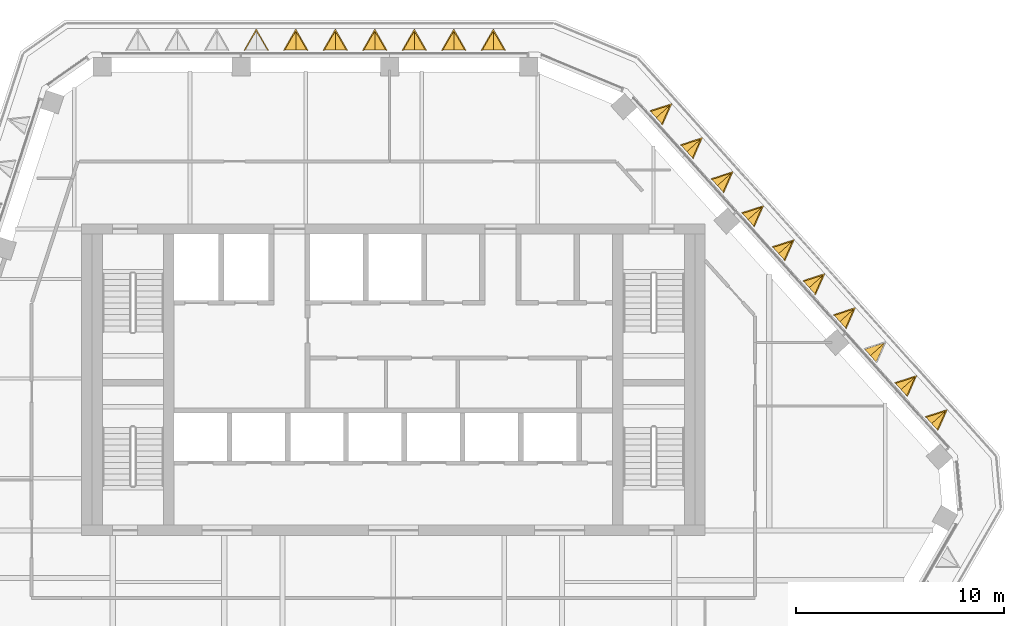
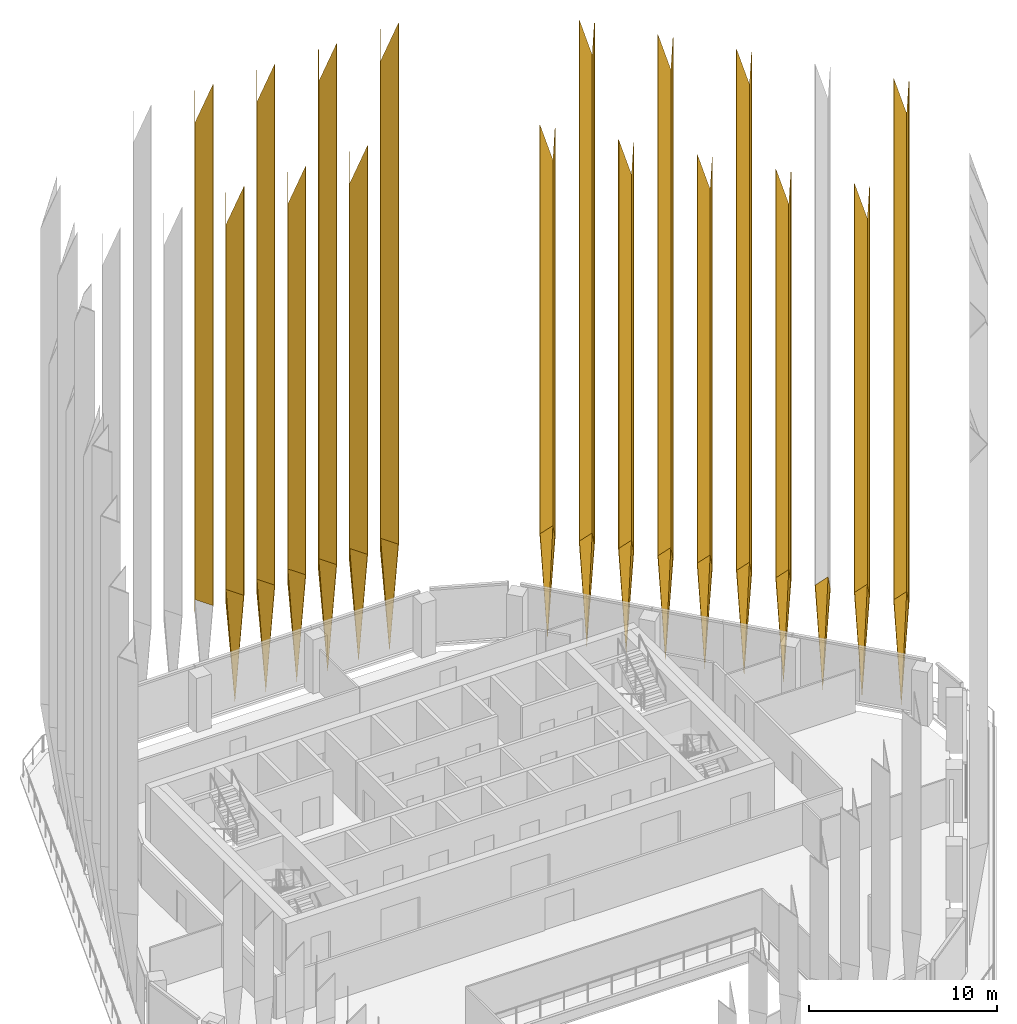
# One storey, part 20 of 21: 32 coverings.
"""IFC4 building model written with IfcOpenShell, lengths in metres."""

from ifc_helpers import new_model, si_unit, direction, frame, origin, place, context, subcontext, project, spatial, polyline, outline, faceted_brep, material, material_profile, profile_set, type_object, element, save


model = new_model("IFC4")

# Units and contexts
model_context = context("Model", 3, precision=1e-05, world=origin(), true_north=direction((0.0, 1.0)))
body_context = subcontext(model_context, "Body", "Model", "MODEL_VIEW")
ifc_project = project(units=[si_unit("LENGTHUNIT", "METRE"), si_unit("AREAUNIT", "SQUARE_METRE"), si_unit("VOLUMEUNIT", "CUBIC_METRE"), si_unit("PLANEANGLEUNIT", "RADIAN"), si_unit("MASSUNIT", "GRAM", prefix="KILO")], contexts=[model_context])

# Site, building, storey
site_placement = place(None, origin())
site = spatial("IfcSite", under=ifc_project, at=site_placement, CompositionType="ELEMENT")
building_placement = place(site_placement, origin())
building = spatial("IfcBuilding", under=site, at=building_placement, Name="Isthmus Gate Tower", CompositionType="ELEMENT")
storey_placement = place(building_placement, frame((0.0, 0.0, 260.949951171875)))
storey = spatial("IfcBuildingStorey", under=building, at=storey_placement, Name="L66", CompositionType="ELEMENT", Elevation=260.949951171875)

# Coverings
ifc_material_1 = material(Name="Structural steel ASTM A572 Gr 50, white paint system", Category="steel")
ifc_material_profile_1 = material_profile(ifc_material_1, outline(polyline([(0.0, -0.4453125), (1.0, 0.0), (0.0, 0.4453125), (0.0, 0.412353515625), (0.92626953125, 0.0), (0.0, -0.412353515625), (0.0, -0.4453125)])), Name="V1000")
ifc_profile_set_1 = profile_set([ifc_material_profile_1], Name="Structural steel ASTM A572 Gr 50, white paint system")
covering_type_1 = type_object("IfcCoveringType", Name="FIN V 1000 DEEP", PredefinedType="CLADDING", material=ifc_profile_set_1)
covering_1_placement = place(storey_placement, frame((0.0, 0.0, -260.949951171875)))
element("IfcCovering", 1, at=covering_1_placement, inside=storey, type_object=covering_type_1, Name="FIN", ObjectType="FIN", PredefinedType="CLADDING", context=body_context, shape_type="Brep", body=[
    faceted_brep([(26.1689453125, 5.081298828125, 267.85009765625), (26.581298828125, 6.007568359375, 267.85009765625), (25.6171875, 5.694091796875, 267.85009765625), (25.59521484375, 5.718505859375, 267.85009765625), (26.63623046875, 6.056884765625, 267.85009765625), (26.19091796875, 5.056884765625, 267.85009765625), (26.19091796875, 5.056884765625, 301.699951171875), (26.63623046875, 6.056884765625, 298.699951171875), (25.59521484375, 5.718505859375, 301.699951171875), (25.6171875, 5.694091796875, 301.699951171875), (26.581298828125, 6.007568359375, 298.92138671875), (26.1689453125, 5.081298828125, 301.699951171875)], [[[0, 1, 2, 3, 4, 5]], [[6, 7, 8, 9, 10, 11]], [[5, 4, 7, 6]], [[4, 3, 8, 7]], [[3, 2, 9, 8]], [[2, 1, 10, 9]], [[1, 0, 11, 10]], [[0, 5, 6, 11]]]),
])
covering_2_placement = place(storey_placement, frame((0.0, 0.0, -260.949951171875)))
element("IfcCovering", 2, at=covering_2_placement, inside=storey, type_object=covering_type_1, Name="FIN", ObjectType="FIN", PredefinedType="CLADDING", context=body_context, shape_type="Brep", body=[
    faceted_brep([(24.69677734375, 6.71630859375, 267.85009765625), (25.109130859375, 7.642578125, 267.85009765625), (24.14501953125, 7.3291015625, 267.85009765625), (24.123046875, 7.353515625, 267.85009765625), (25.1640625, 7.69189453125, 267.85009765625), (24.71875, 6.69189453125, 267.85009765625), (24.71875, 6.69189453125, 294.39990234375), (25.1640625, 7.69189453125, 291.39990234375), (24.123046875, 7.353515625, 294.39990234375), (24.14501953125, 7.3291015625, 294.39990234375), (25.109130859375, 7.642578125, 291.621337890625), (24.69677734375, 6.71630859375, 294.39990234375)], [[[0, 1, 2, 3, 4, 5]], [[6, 7, 8, 9, 10, 11]], [[5, 4, 7, 6]], [[4, 3, 8, 7]], [[3, 2, 9, 8]], [[2, 1, 10, 9]], [[1, 0, 11, 10]], [[0, 5, 6, 11]]]),
])
covering_3_placement = place(storey_placement, frame((0.0, 0.0, -260.949951171875)))
element("IfcCovering", 3, at=covering_3_placement, inside=storey, type_object=covering_type_1, Name="FIN", ObjectType="FIN", PredefinedType="CLADDING", context=body_context, shape_type="Brep", body=[
    faceted_brep([(21.752685546875, 9.986083984375, 267.85009765625), (22.1650390625, 10.912353515625, 267.85009765625), (21.200927734375, 10.598876953125, 267.85009765625), (21.178955078125, 10.623291015625, 267.85009765625), (22.219970703125, 10.961669921875, 267.85009765625), (21.774658203125, 9.961669921875, 267.85009765625), (21.774658203125, 9.961669921875, 294.39990234375), (22.219970703125, 10.961669921875, 291.39990234375), (21.178955078125, 10.623291015625, 294.39990234375), (21.200927734375, 10.598876953125, 294.39990234375), (22.1650390625, 10.912353515625, 291.621337890625), (21.752685546875, 9.986083984375, 294.39990234375)], [[[0, 1, 2, 3, 4, 5]], [[6, 7, 8, 9, 10, 11]], [[5, 4, 7, 6]], [[4, 3, 8, 7]], [[3, 2, 9, 8]], [[2, 1, 10, 9]], [[1, 0, 11, 10]], [[0, 5, 6, 11]]]),
])
covering_4_placement = place(storey_placement, frame((0.0, 0.0, -260.949951171875)))
element("IfcCovering", 4, at=covering_4_placement, inside=storey, type_object=covering_type_1, Name="FIN", ObjectType="FIN", PredefinedType="CLADDING", context=body_context, shape_type="Brep", body=[
    faceted_brep([(20.280517578125, 11.62109375, 267.85009765625), (20.69287109375, 12.54736328125, 267.85009765625), (19.728759765625, 12.23388671875, 267.85009765625), (19.706787109375, 12.25830078125, 267.85009765625), (20.747802734375, 12.5966796875, 267.85009765625), (20.302490234375, 11.5966796875, 267.85009765625), (20.302490234375, 11.5966796875, 301.699951171875), (20.747802734375, 12.5966796875, 298.699951171875), (19.706787109375, 12.25830078125, 301.699951171875), (19.728759765625, 12.23388671875, 301.699951171875), (20.69287109375, 12.54736328125, 298.92138671875), (20.280517578125, 11.62109375, 301.699951171875)], [[[0, 1, 2, 3, 4, 5]], [[6, 7, 8, 9, 10, 11]], [[5, 4, 7, 6]], [[4, 3, 8, 7]], [[3, 2, 9, 8]], [[2, 1, 10, 9]], [[1, 0, 11, 10]], [[0, 5, 6, 11]]]),
])
covering_5_placement = place(storey_placement, frame((0.0, 0.0, -260.949951171875)))
element("IfcCovering", 5, at=covering_5_placement, inside=storey, type_object=covering_type_1, Name="FIN", ObjectType="FIN", PredefinedType="CLADDING", context=body_context, shape_type="Brep", body=[
    faceted_brep([(18.80859375, 13.255859375, 267.85009765625), (19.220947265625, 14.18212890625, 267.85009765625), (18.2568359375, 13.86865234375, 267.85009765625), (18.23486328125, 13.89306640625, 267.85009765625), (19.27587890625, 14.2314453125, 267.85009765625), (18.83056640625, 13.2314453125, 267.85009765625), (18.83056640625, 13.2314453125, 294.39990234375), (19.27587890625, 14.2314453125, 291.39990234375), (18.23486328125, 13.89306640625, 294.39990234375), (18.2568359375, 13.86865234375, 294.39990234375), (19.220947265625, 14.18212890625, 291.621337890625), (18.80859375, 13.255859375, 294.39990234375)], [[[0, 1, 2, 3, 4, 5]], [[6, 7, 8, 9, 10, 11]], [[5, 4, 7, 6]], [[4, 3, 8, 7]], [[3, 2, 9, 8]], [[2, 1, 10, 9]], [[1, 0, 11, 10]], [[0, 5, 6, 11]]]),
])
covering_6_placement = place(storey_placement, frame((0.0, 0.0, -260.949951171875)))
element("IfcCovering", 6, at=covering_6_placement, inside=storey, type_object=covering_type_1, Name="FIN", ObjectType="FIN", PredefinedType="CLADDING", context=body_context, shape_type="Brep", body=[
    faceted_brep([(17.33642578125, 14.890869140625, 267.85009765625), (17.748779296875, 15.817138671875, 267.85009765625), (16.78466796875, 15.503662109375, 267.85009765625), (16.7626953125, 15.528076171875, 267.85009765625), (17.8037109375, 15.866455078125, 267.85009765625), (17.3583984375, 14.866455078125, 267.85009765625), (17.3583984375, 14.866455078125, 301.699951171875), (17.8037109375, 15.866455078125, 298.699951171875), (16.7626953125, 15.528076171875, 301.699951171875), (16.78466796875, 15.503662109375, 301.699951171875), (17.748779296875, 15.817138671875, 298.92138671875), (17.33642578125, 14.890869140625, 301.699951171875)], [[[0, 1, 2, 3, 4, 5]], [[6, 7, 8, 9, 10, 11]], [[5, 4, 7, 6]], [[4, 3, 8, 7]], [[3, 2, 9, 8]], [[2, 1, 10, 9]], [[1, 0, 11, 10]], [[0, 5, 6, 11]]]),
])
covering_7_placement = place(storey_placement, frame((0.0, 0.0, -260.949951171875)))
element("IfcCovering", 7, at=covering_7_placement, inside=storey, type_object=covering_type_1, Name="FIN", ObjectType="FIN", PredefinedType="CLADDING", context=body_context, shape_type="Brep", body=[
    faceted_brep([(15.8642578125, 16.52587890625, 267.85009765625), (16.276611328125, 17.4521484375, 267.85009765625), (15.3125, 17.138671875, 267.85009765625), (15.29052734375, 17.1630859375, 267.85009765625), (16.33154296875, 17.50146484375, 267.85009765625), (15.88623046875, 16.50146484375, 267.85009765625), (15.88623046875, 16.50146484375, 294.39990234375), (16.33154296875, 17.50146484375, 291.39990234375), (15.29052734375, 17.1630859375, 294.39990234375), (15.3125, 17.138671875, 294.39990234375), (16.276611328125, 17.4521484375, 291.621337890625), (15.8642578125, 16.52587890625, 294.39990234375)], [[[0, 1, 2, 3, 4, 5]], [[6, 7, 8, 9, 10, 11]], [[5, 4, 7, 6]], [[4, 3, 8, 7]], [[3, 2, 9, 8]], [[2, 1, 10, 9]], [[1, 0, 11, 10]], [[0, 5, 6, 11]]]),
])
covering_8_placement = place(storey_placement, frame((0.0, 0.0, -260.949951171875)))
element("IfcCovering", 8, at=covering_8_placement, inside=storey, type_object=covering_type_1, Name="FIN", ObjectType="FIN", PredefinedType="CLADDING", context=body_context, shape_type="Brep", body=[
    faceted_brep([(14.392333984375, 18.16064453125, 267.85009765625), (14.8046875, 19.0869140625, 267.85009765625), (13.840576171875, 18.7734375, 267.85009765625), (13.818603515625, 18.7978515625, 267.85009765625), (14.859619140625, 19.13623046875, 267.85009765625), (14.414306640625, 18.13623046875, 267.85009765625), (14.414306640625, 18.13623046875, 301.699951171875), (14.859619140625, 19.13623046875, 298.699951171875), (13.818603515625, 18.7978515625, 301.699951171875), (13.840576171875, 18.7734375, 301.699951171875), (14.8046875, 19.0869140625, 298.92138671875), (14.392333984375, 18.16064453125, 301.699951171875)], [[[0, 1, 2, 3, 4, 5]], [[6, 7, 8, 9, 10, 11]], [[5, 4, 7, 6]], [[4, 3, 8, 7]], [[3, 2, 9, 8]], [[2, 1, 10, 9]], [[1, 0, 11, 10]], [[0, 5, 6, 11]]]),
])
covering_9_placement = place(storey_placement, frame((0.0, 0.0, -260.949951171875)))
element("IfcCovering", 9, at=covering_9_placement, inside=storey, type_object=covering_type_1, Name="FIN", ObjectType="FIN", PredefinedType="CLADDING", context=body_context, shape_type="Brep", body=[
    faceted_brep([(12.920166015625, 19.795654296875, 267.85009765625), (13.33251953125, 20.721923828125, 267.85009765625), (12.368408203125, 20.408447265625, 267.85009765625), (12.346435546875, 20.432861328125, 267.85009765625), (13.387451171875, 20.771240234375, 267.85009765625), (12.942138671875, 19.771240234375, 267.85009765625), (12.942138671875, 19.771240234375, 294.39990234375), (13.387451171875, 20.771240234375, 291.39990234375), (12.346435546875, 20.432861328125, 294.39990234375), (12.368408203125, 20.408447265625, 294.39990234375), (13.33251953125, 20.721923828125, 291.621337890625), (12.920166015625, 19.795654296875, 294.39990234375)], [[[0, 1, 2, 3, 4, 5]], [[6, 7, 8, 9, 10, 11]], [[5, 4, 7, 6]], [[4, 3, 8, 7]], [[3, 2, 9, 8]], [[2, 1, 10, 9]], [[1, 0, 11, 10]], [[0, 5, 6, 11]]]),
])
ifc_material_2 = material(Name="Structural steel ASTM A572 Gr 50, white paint system", Category="steel")
ifc_material_profile_2 = material_profile(ifc_material_2, outline(polyline([(0.0, -0.4453125), (1.0, 0.0), (0.0, 0.4453125), (0.0, 0.412353515625), (0.92626953125, 0.0), (0.0, -0.412353515625), (0.0, -0.4453125)])), Name="V1000")
ifc_profile_set_2 = profile_set([ifc_material_profile_2], Name="Structural steel ASTM A572 Gr 50, white paint system")
covering_type_2 = type_object("IfcCoveringType", Name="FIN V 1000 DEEP FOOT", PredefinedType="CLADDING", material=ifc_profile_set_2)
covering_10_placement = place(storey_placement, frame((0.0, 0.0, -260.949951171875)))
element("IfcCovering", 10, at=covering_10_placement, inside=storey, type_object=covering_type_2, Name="FIN", ObjectType="FIN", PredefinedType="CLADDING", context=body_context, shape_type="Brep", body=[
    faceted_brep([(26.19091796875, 5.056884765625, 267.85009765625), (26.63623046875, 6.056884765625, 267.85009765625), (25.59521484375, 5.718505859375, 267.85009765625), (25.6171875, 5.694091796875, 267.85009765625), (26.581298828125, 6.007568359375, 267.85009765625), (26.1689453125, 5.081298828125, 267.85009765625), (25.89306640625, 5.3876953125, 261.050048828125)], [[[0, 1, 2, 3, 4, 5]], [[1, 0, 6]], [[2, 1, 6]], [[3, 2, 6]], [[4, 3, 6]], [[5, 4, 6]], [[0, 5, 6]]]),
])
covering_11_placement = place(storey_placement, frame((0.0, 0.0, -260.949951171875)))
element("IfcCovering", 11, at=covering_11_placement, inside=storey, type_object=covering_type_2, Name="FIN", ObjectType="FIN", PredefinedType="CLADDING", context=body_context, shape_type="Brep", body=[
    faceted_brep([(24.71875, 6.69189453125, 267.85009765625), (25.1640625, 7.69189453125, 267.85009765625), (24.123046875, 7.353515625, 267.85009765625), (24.14501953125, 7.3291015625, 267.85009765625), (25.109130859375, 7.642578125, 267.85009765625), (24.69677734375, 6.71630859375, 267.85009765625), (24.4208984375, 7.022705078125, 261.050048828125)], [[[0, 1, 2, 3, 4, 5]], [[1, 0, 6]], [[2, 1, 6]], [[3, 2, 6]], [[4, 3, 6]], [[5, 4, 6]], [[0, 5, 6]]]),
])
covering_12_placement = place(storey_placement, frame((0.0, 0.0, -260.949951171875)))
element("IfcCovering", 12, at=covering_12_placement, inside=storey, type_object=covering_type_2, Name="FIN", ObjectType="FIN", PredefinedType="CLADDING", context=body_context, shape_type="Brep", body=[
    faceted_brep([(23.246826171875, 8.326904296875, 267.85009765625), (23.692138671875, 9.326904296875, 267.85009765625), (22.651123046875, 8.988525390625, 267.85009765625), (22.673095703125, 8.964111328125, 267.85009765625), (23.63720703125, 9.277587890625, 267.85009765625), (23.224853515625, 8.351318359375, 267.85009765625), (22.948974609375, 8.65771484375, 261.050048828125)], [[[0, 1, 2, 3, 4, 5]], [[1, 0, 6]], [[2, 1, 6]], [[3, 2, 6]], [[4, 3, 6]], [[5, 4, 6]], [[0, 5, 6]]]),
])
covering_13_placement = place(storey_placement, frame((0.0, 0.0, -260.949951171875)))
element("IfcCovering", 13, at=covering_13_placement, inside=storey, type_object=covering_type_2, Name="FIN", ObjectType="FIN", PredefinedType="CLADDING", context=body_context, shape_type="Brep", body=[
    faceted_brep([(21.774658203125, 9.961669921875, 267.85009765625), (22.219970703125, 10.961669921875, 267.85009765625), (21.178955078125, 10.623291015625, 267.85009765625), (21.200927734375, 10.598876953125, 267.85009765625), (22.1650390625, 10.912353515625, 267.85009765625), (21.752685546875, 9.986083984375, 267.85009765625), (21.476806640625, 10.29248046875, 261.050048828125)], [[[0, 1, 2, 3, 4, 5]], [[1, 0, 6]], [[2, 1, 6]], [[3, 2, 6]], [[4, 3, 6]], [[5, 4, 6]], [[0, 5, 6]]]),
])
covering_14_placement = place(storey_placement, frame((0.0, 0.0, -260.949951171875)))
element("IfcCovering", 14, at=covering_14_placement, inside=storey, type_object=covering_type_2, Name="FIN", ObjectType="FIN", PredefinedType="CLADDING", context=body_context, shape_type="Brep", body=[
    faceted_brep([(20.302490234375, 11.5966796875, 267.85009765625), (20.747802734375, 12.5966796875, 267.85009765625), (19.706787109375, 12.25830078125, 267.85009765625), (19.728759765625, 12.23388671875, 267.85009765625), (20.69287109375, 12.54736328125, 267.85009765625), (20.280517578125, 11.62109375, 267.85009765625), (20.004638671875, 11.927490234375, 261.050048828125)], [[[0, 1, 2, 3, 4, 5]], [[1, 0, 6]], [[2, 1, 6]], [[3, 2, 6]], [[4, 3, 6]], [[5, 4, 6]], [[0, 5, 6]]]),
])
covering_15_placement = place(storey_placement, frame((0.0, 0.0, -260.949951171875)))
element("IfcCovering", 15, at=covering_15_placement, inside=storey, type_object=covering_type_2, Name="FIN", ObjectType="FIN", PredefinedType="CLADDING", context=body_context, shape_type="Brep", body=[
    faceted_brep([(18.83056640625, 13.2314453125, 267.85009765625), (19.27587890625, 14.2314453125, 267.85009765625), (18.23486328125, 13.89306640625, 267.85009765625), (18.2568359375, 13.86865234375, 267.85009765625), (19.220947265625, 14.18212890625, 267.85009765625), (18.80859375, 13.255859375, 267.85009765625), (18.53271484375, 13.562255859375, 261.050048828125)], [[[0, 1, 2, 3, 4, 5]], [[1, 0, 6]], [[2, 1, 6]], [[3, 2, 6]], [[4, 3, 6]], [[5, 4, 6]], [[0, 5, 6]]]),
])
covering_16_placement = place(storey_placement, frame((0.0, 0.0, -260.949951171875)))
element("IfcCovering", 16, at=covering_16_placement, inside=storey, type_object=covering_type_2, Name="FIN", ObjectType="FIN", PredefinedType="CLADDING", context=body_context, shape_type="Brep", body=[
    faceted_brep([(17.3583984375, 14.866455078125, 267.85009765625), (17.8037109375, 15.866455078125, 267.85009765625), (16.7626953125, 15.528076171875, 267.85009765625), (16.78466796875, 15.503662109375, 267.85009765625), (17.748779296875, 15.817138671875, 267.85009765625), (17.33642578125, 14.890869140625, 267.85009765625), (17.060546875, 15.197265625, 261.050048828125)], [[[0, 1, 2, 3, 4, 5]], [[1, 0, 6]], [[2, 1, 6]], [[3, 2, 6]], [[4, 3, 6]], [[5, 4, 6]], [[0, 5, 6]]]),
])
covering_17_placement = place(storey_placement, frame((0.0, 0.0, -260.949951171875)))
element("IfcCovering", 17, at=covering_17_placement, inside=storey, type_object=covering_type_2, Name="FIN", ObjectType="FIN", PredefinedType="CLADDING", context=body_context, shape_type="Brep", body=[
    faceted_brep([(15.88623046875, 16.50146484375, 267.85009765625), (16.33154296875, 17.50146484375, 267.85009765625), (15.29052734375, 17.1630859375, 267.85009765625), (15.3125, 17.138671875, 267.85009765625), (16.276611328125, 17.4521484375, 267.85009765625), (15.8642578125, 16.52587890625, 267.85009765625), (15.58837890625, 16.832275390625, 261.050048828125)], [[[0, 1, 2, 3, 4, 5]], [[1, 0, 6]], [[2, 1, 6]], [[3, 2, 6]], [[4, 3, 6]], [[5, 4, 6]], [[0, 5, 6]]]),
])
covering_18_placement = place(storey_placement, frame((0.0, 0.0, -260.949951171875)))
element("IfcCovering", 18, at=covering_18_placement, inside=storey, type_object=covering_type_2, Name="FIN", ObjectType="FIN", PredefinedType="CLADDING", context=body_context, shape_type="Brep", body=[
    faceted_brep([(14.414306640625, 18.13623046875, 267.85009765625), (14.859619140625, 19.13623046875, 267.85009765625), (13.818603515625, 18.7978515625, 267.85009765625), (13.840576171875, 18.7734375, 267.85009765625), (14.8046875, 19.0869140625, 267.85009765625), (14.392333984375, 18.16064453125, 267.85009765625), (14.116455078125, 18.467041015625, 261.050048828125)], [[[0, 1, 2, 3, 4, 5]], [[1, 0, 6]], [[2, 1, 6]], [[3, 2, 6]], [[4, 3, 6]], [[5, 4, 6]], [[0, 5, 6]]]),
])
covering_19_placement = place(storey_placement, frame((0.0, 0.0, -260.949951171875)))
element("IfcCovering", 19, at=covering_19_placement, inside=storey, type_object=covering_type_2, Name="FIN", ObjectType="FIN", PredefinedType="CLADDING", context=body_context, shape_type="Brep", body=[
    faceted_brep([(12.942138671875, 19.771240234375, 267.85009765625), (13.387451171875, 20.771240234375, 267.85009765625), (12.346435546875, 20.432861328125, 267.85009765625), (12.368408203125, 20.408447265625, 267.85009765625), (13.33251953125, 20.721923828125, 267.85009765625), (12.920166015625, 19.795654296875, 267.85009765625), (12.644287109375, 20.10205078125, 261.050048828125)], [[[0, 1, 2, 3, 4, 5]], [[1, 0, 6]], [[2, 1, 6]], [[3, 2, 6]], [[4, 3, 6]], [[5, 4, 6]], [[0, 5, 6]]]),
])
ifc_material_3 = material(Name="Structural steel ASTM A572 Gr 50, white paint system", Category="steel")
ifc_material_profile_3 = material_profile(ifc_material_3, outline(polyline([(0.0, -0.577392578125), (1.0, 0.0), (0.0, 0.577392578125), (0.0, 0.542724609375), (0.93994140625, 0.0), (0.0, -0.542724609375), (0.0, -0.577392578125)])), Name="V1000W")
ifc_profile_set_3 = profile_set([ifc_material_profile_3], Name="Structural steel ASTM A572 Gr 50, white paint system")
covering_type_3 = type_object("IfcCoveringType", Name="FIN V 1000 DEEP WIDE", PredefinedType="CLADDING", material=ifc_profile_set_3)
covering_20_placement = place(storey_placement, frame((0.0, 0.0, -260.949951171875)))
element("IfcCovering", 20, at=covering_20_placement, inside=storey, type_object=covering_type_3, Name="FIN", ObjectType="FIN", PredefinedType="CLADDING", context=body_context, shape_type="Brep", body=[
    faceted_brep([(5.350341796875, 23.35009765625, 267.85009765625), (4.8076171875, 24.2900390625, 267.85009765625), (4.264892578125, 23.35009765625, 267.85009765625), (4.230224609375, 23.35009765625, 267.85009765625), (4.8076171875, 24.35009765625, 267.85009765625), (5.385009765625, 23.35009765625, 267.85009765625), (5.385009765625, 23.35009765625, 301.699951171875), (4.8076171875, 24.35009765625, 298.699951171875), (4.230224609375, 23.35009765625, 301.699951171875), (4.264892578125, 23.35009765625, 301.699951171875), (4.8076171875, 24.2900390625, 298.8798828125), (5.350341796875, 23.35009765625, 301.699951171875)], [[[0, 1, 2, 3, 4, 5]], [[6, 7, 8, 9, 10, 11]], [[5, 4, 7, 6]], [[4, 3, 8, 7]], [[3, 2, 9, 8]], [[2, 1, 10, 9]], [[1, 0, 11, 10]], [[0, 5, 6, 11]]]),
])
covering_21_placement = place(storey_placement, frame((0.0, 0.0, -260.949951171875)))
element("IfcCovering", 21, at=covering_21_placement, inside=storey, type_object=covering_type_3, Name="FIN", ObjectType="FIN", PredefinedType="CLADDING", context=body_context, shape_type="Brep", body=[
    faceted_brep([(3.450439453125, 23.35009765625, 267.85009765625), (2.90771484375, 24.2900390625, 267.85009765625), (2.364990234375, 23.35009765625, 267.85009765625), (2.330322265625, 23.35009765625, 267.85009765625), (2.90771484375, 24.35009765625, 267.85009765625), (3.485107421875, 23.35009765625, 267.85009765625), (3.485107421875, 23.35009765625, 294.39990234375), (2.90771484375, 24.35009765625, 291.39990234375), (2.330322265625, 23.35009765625, 294.39990234375), (2.364990234375, 23.35009765625, 294.39990234375), (2.90771484375, 24.2900390625, 291.580078125), (3.450439453125, 23.35009765625, 294.39990234375)], [[[0, 1, 2, 3, 4, 5]], [[6, 7, 8, 9, 10, 11]], [[5, 4, 7, 6]], [[4, 3, 8, 7]], [[3, 2, 9, 8]], [[2, 1, 10, 9]], [[1, 0, 11, 10]], [[0, 5, 6, 11]]]),
])
covering_22_placement = place(storey_placement, frame((0.0, 0.0, -260.949951171875)))
element("IfcCovering", 22, at=covering_22_placement, inside=storey, type_object=covering_type_3, Name="FIN", ObjectType="FIN", PredefinedType="CLADDING", context=body_context, shape_type="Brep", body=[
    faceted_brep([(1.55029296875, 23.35009765625, 267.85009765625), (1.007568359375, 24.2900390625, 267.85009765625), (0.46484375, 23.35009765625, 267.85009765625), (0.43017578125, 23.35009765625, 267.85009765625), (1.007568359375, 24.35009765625, 267.85009765625), (1.5849609375, 23.35009765625, 267.85009765625), (1.5849609375, 23.35009765625, 301.699951171875), (1.007568359375, 24.35009765625, 298.699951171875), (0.43017578125, 23.35009765625, 301.699951171875), (0.46484375, 23.35009765625, 301.699951171875), (1.007568359375, 24.2900390625, 298.8798828125), (1.55029296875, 23.35009765625, 301.699951171875)], [[[0, 1, 2, 3, 4, 5]], [[6, 7, 8, 9, 10, 11]], [[5, 4, 7, 6]], [[4, 3, 8, 7]], [[3, 2, 9, 8]], [[2, 1, 10, 9]], [[1, 0, 11, 10]], [[0, 5, 6, 11]]]),
])
covering_23_placement = place(storey_placement, frame((0.0, 0.0, -260.949951171875)))
element("IfcCovering", 23, at=covering_23_placement, inside=storey, type_object=covering_type_3, Name="FIN", ObjectType="FIN", PredefinedType="CLADDING", context=body_context, shape_type="Brep", body=[
    faceted_brep([(-0.349609375, 23.35009765625, 267.85009765625), (-0.892333984375, 24.2900390625, 267.85009765625), (-1.43505859375, 23.35009765625, 267.85009765625), (-1.4697265625, 23.35009765625, 267.85009765625), (-0.892333984375, 24.35009765625, 267.85009765625), (-0.31494140625, 23.35009765625, 267.85009765625), (-0.31494140625, 23.35009765625, 294.39990234375), (-0.892333984375, 24.35009765625, 291.39990234375), (-1.4697265625, 23.35009765625, 294.39990234375), (-1.43505859375, 23.35009765625, 294.39990234375), (-0.892333984375, 24.2900390625, 291.580078125), (-0.349609375, 23.35009765625, 294.39990234375)], [[[0, 1, 2, 3, 4, 5]], [[6, 7, 8, 9, 10, 11]], [[5, 4, 7, 6]], [[4, 3, 8, 7]], [[3, 2, 9, 8]], [[2, 1, 10, 9]], [[1, 0, 11, 10]], [[0, 5, 6, 11]]]),
])
covering_24_placement = place(storey_placement, frame((0.0, 0.0, -260.949951171875)))
element("IfcCovering", 24, at=covering_24_placement, inside=storey, type_object=covering_type_3, Name="FIN", ObjectType="FIN", PredefinedType="CLADDING", context=body_context, shape_type="Brep", body=[
    faceted_brep([(-2.24951171875, 23.35009765625, 267.85009765625), (-2.792236328125, 24.2900390625, 267.85009765625), (-3.3349609375, 23.35009765625, 267.85009765625), (-3.36962890625, 23.35009765625, 267.85009765625), (-2.792236328125, 24.35009765625, 267.85009765625), (-2.21484375, 23.35009765625, 267.85009765625), (-2.21484375, 23.35009765625, 301.699951171875), (-2.792236328125, 24.35009765625, 298.699951171875), (-3.36962890625, 23.35009765625, 301.699951171875), (-3.3349609375, 23.35009765625, 301.699951171875), (-2.792236328125, 24.2900390625, 298.8798828125), (-2.24951171875, 23.35009765625, 301.699951171875)], [[[0, 1, 2, 3, 4, 5]], [[6, 7, 8, 9, 10, 11]], [[5, 4, 7, 6]], [[4, 3, 8, 7]], [[3, 2, 9, 8]], [[2, 1, 10, 9]], [[1, 0, 11, 10]], [[0, 5, 6, 11]]]),
])
covering_25_placement = place(storey_placement, frame((0.0, 0.0, -260.949951171875)))
element("IfcCovering", 25, at=covering_25_placement, inside=storey, type_object=covering_type_3, Name="FIN", ObjectType="FIN", PredefinedType="CLADDING", context=body_context, shape_type="Brep", body=[
    faceted_brep([(-4.149658203125, 23.35009765625, 267.85009765625), (-4.6923828125, 24.2900390625, 267.85009765625), (-5.235107421875, 23.35009765625, 267.85009765625), (-5.269775390625, 23.35009765625, 267.85009765625), (-4.6923828125, 24.35009765625, 267.85009765625), (-4.114990234375, 23.35009765625, 267.85009765625), (-4.114990234375, 23.35009765625, 294.39990234375), (-4.6923828125, 24.35009765625, 291.39990234375), (-5.269775390625, 23.35009765625, 294.39990234375), (-5.235107421875, 23.35009765625, 294.39990234375), (-4.6923828125, 24.2900390625, 291.580078125), (-4.149658203125, 23.35009765625, 294.39990234375)], [[[0, 1, 2, 3, 4, 5]], [[6, 7, 8, 9, 10, 11]], [[5, 4, 7, 6]], [[4, 3, 8, 7]], [[3, 2, 9, 8]], [[2, 1, 10, 9]], [[1, 0, 11, 10]], [[0, 5, 6, 11]]]),
])
covering_26_placement = place(storey_placement, frame((0.0, 0.0, -260.949951171875)))
element("IfcCovering", 26, at=covering_26_placement, inside=storey, type_object=covering_type_3, Name="FIN", ObjectType="FIN", PredefinedType="CLADDING", context=body_context, shape_type="Brep", body=[
    faceted_brep([(-6.049560546875, 23.35009765625, 267.85009765625), (-6.59228515625, 24.2900390625, 267.85009765625), (-7.135009765625, 23.35009765625, 267.85009765625), (-7.169677734375, 23.35009765625, 267.85009765625), (-6.59228515625, 24.35009765625, 267.85009765625), (-6.014892578125, 23.35009765625, 267.85009765625), (-6.014892578125, 23.35009765625, 301.699951171875), (-6.59228515625, 24.35009765625, 298.699951171875), (-7.169677734375, 23.35009765625, 301.699951171875), (-7.135009765625, 23.35009765625, 301.699951171875), (-6.59228515625, 24.2900390625, 298.8798828125), (-6.049560546875, 23.35009765625, 301.699951171875)], [[[0, 1, 2, 3, 4, 5]], [[6, 7, 8, 9, 10, 11]], [[5, 4, 7, 6]], [[4, 3, 8, 7]], [[3, 2, 9, 8]], [[2, 1, 10, 9]], [[1, 0, 11, 10]], [[0, 5, 6, 11]]]),
])
ifc_material_4 = material(Name="Structural steel ASTM A572 Gr 50, white paint system", Category="steel")
ifc_material_profile_4 = material_profile(ifc_material_4, outline(polyline([(0.0, -0.577392578125), (1.0, 0.0), (0.0, 0.577392578125), (0.0, 0.542724609375), (0.93994140625, 0.0), (0.0, -0.542724609375), (0.0, -0.577392578125)])), Name="V1000W")
ifc_profile_set_4 = profile_set([ifc_material_profile_4], Name="Structural steel ASTM A572 Gr 50, white paint system")
covering_type_4 = type_object("IfcCoveringType", Name="FIN V 1000 DEEP WIDE FOOT", PredefinedType="CLADDING", material=ifc_profile_set_4)
covering_27_placement = place(storey_placement, frame((0.0, 0.0, -260.949951171875)))
element("IfcCovering", 27, at=covering_27_placement, inside=storey, type_object=covering_type_4, Name="FIN", ObjectType="FIN", PredefinedType="CLADDING", context=body_context, shape_type="Brep", body=[
    faceted_brep([(5.385009765625, 23.35009765625, 267.85009765625), (4.8076171875, 24.35009765625, 267.85009765625), (4.230224609375, 23.35009765625, 267.85009765625), (4.264892578125, 23.35009765625, 267.85009765625), (4.8076171875, 24.2900390625, 267.85009765625), (5.350341796875, 23.35009765625, 267.85009765625), (4.8076171875, 23.35009765625, 261.050048828125)], [[[0, 1, 2, 3, 4, 5]], [[1, 0, 6]], [[2, 1, 6]], [[3, 2, 6]], [[4, 3, 6]], [[5, 4, 6]], [[0, 5, 6]]]),
])
covering_28_placement = place(storey_placement, frame((0.0, 0.0, -260.949951171875)))
element("IfcCovering", 28, at=covering_28_placement, inside=storey, type_object=covering_type_4, Name="FIN", ObjectType="FIN", PredefinedType="CLADDING", context=body_context, shape_type="Brep", body=[
    faceted_brep([(3.485107421875, 23.35009765625, 267.85009765625), (2.90771484375, 24.35009765625, 267.85009765625), (2.330322265625, 23.35009765625, 267.85009765625), (2.364990234375, 23.35009765625, 267.85009765625), (2.90771484375, 24.2900390625, 267.85009765625), (3.450439453125, 23.35009765625, 267.85009765625), (2.90771484375, 23.35009765625, 261.050048828125)], [[[0, 1, 2, 3, 4, 5]], [[1, 0, 6]], [[2, 1, 6]], [[3, 2, 6]], [[4, 3, 6]], [[5, 4, 6]], [[0, 5, 6]]]),
])
covering_29_placement = place(storey_placement, frame((0.0, 0.0, -260.949951171875)))
element("IfcCovering", 29, at=covering_29_placement, inside=storey, type_object=covering_type_4, Name="FIN", ObjectType="FIN", PredefinedType="CLADDING", context=body_context, shape_type="Brep", body=[
    faceted_brep([(1.5849609375, 23.35009765625, 267.85009765625), (1.007568359375, 24.35009765625, 267.85009765625), (0.43017578125, 23.35009765625, 267.85009765625), (0.46484375, 23.35009765625, 267.85009765625), (1.007568359375, 24.2900390625, 267.85009765625), (1.55029296875, 23.35009765625, 267.85009765625), (1.007568359375, 23.35009765625, 261.050048828125)], [[[0, 1, 2, 3, 4, 5]], [[1, 0, 6]], [[2, 1, 6]], [[3, 2, 6]], [[4, 3, 6]], [[5, 4, 6]], [[0, 5, 6]]]),
])
covering_30_placement = place(storey_placement, frame((0.0, 0.0, -260.949951171875)))
element("IfcCovering", 30, at=covering_30_placement, inside=storey, type_object=covering_type_4, Name="FIN", ObjectType="FIN", PredefinedType="CLADDING", context=body_context, shape_type="Brep", body=[
    faceted_brep([(-0.31494140625, 23.35009765625, 267.85009765625), (-0.892333984375, 24.35009765625, 267.85009765625), (-1.4697265625, 23.35009765625, 267.85009765625), (-1.43505859375, 23.35009765625, 267.85009765625), (-0.892333984375, 24.2900390625, 267.85009765625), (-0.349609375, 23.35009765625, 267.85009765625), (-0.892333984375, 23.35009765625, 261.050048828125)], [[[0, 1, 2, 3, 4, 5]], [[1, 0, 6]], [[2, 1, 6]], [[3, 2, 6]], [[4, 3, 6]], [[5, 4, 6]], [[0, 5, 6]]]),
])
covering_31_placement = place(storey_placement, frame((0.0, 0.0, -260.949951171875)))
element("IfcCovering", 31, at=covering_31_placement, inside=storey, type_object=covering_type_4, Name="FIN", ObjectType="FIN", PredefinedType="CLADDING", context=body_context, shape_type="Brep", body=[
    faceted_brep([(-2.21484375, 23.35009765625, 267.85009765625), (-2.792236328125, 24.35009765625, 267.85009765625), (-3.36962890625, 23.35009765625, 267.85009765625), (-3.3349609375, 23.35009765625, 267.85009765625), (-2.792236328125, 24.2900390625, 267.85009765625), (-2.24951171875, 23.35009765625, 267.85009765625), (-2.792236328125, 23.35009765625, 261.050048828125)], [[[0, 1, 2, 3, 4, 5]], [[1, 0, 6]], [[2, 1, 6]], [[3, 2, 6]], [[4, 3, 6]], [[5, 4, 6]], [[0, 5, 6]]]),
])
covering_32_placement = place(storey_placement, frame((0.0, 0.0, -260.949951171875)))
element("IfcCovering", 32, at=covering_32_placement, inside=storey, type_object=covering_type_4, Name="FIN", ObjectType="FIN", PredefinedType="CLADDING", context=body_context, shape_type="Brep", body=[
    faceted_brep([(-4.114990234375, 23.35009765625, 267.85009765625), (-4.6923828125, 24.35009765625, 267.85009765625), (-5.269775390625, 23.35009765625, 267.85009765625), (-5.235107421875, 23.35009765625, 267.85009765625), (-4.6923828125, 24.2900390625, 267.85009765625), (-4.149658203125, 23.35009765625, 267.85009765625), (-4.6923828125, 23.35009765625, 261.050048828125)], [[[0, 1, 2, 3, 4, 5]], [[1, 0, 6]], [[2, 1, 6]], [[3, 2, 6]], [[4, 3, 6]], [[5, 4, 6]], [[0, 5, 6]]]),
])

save(model, "model.ifc")
